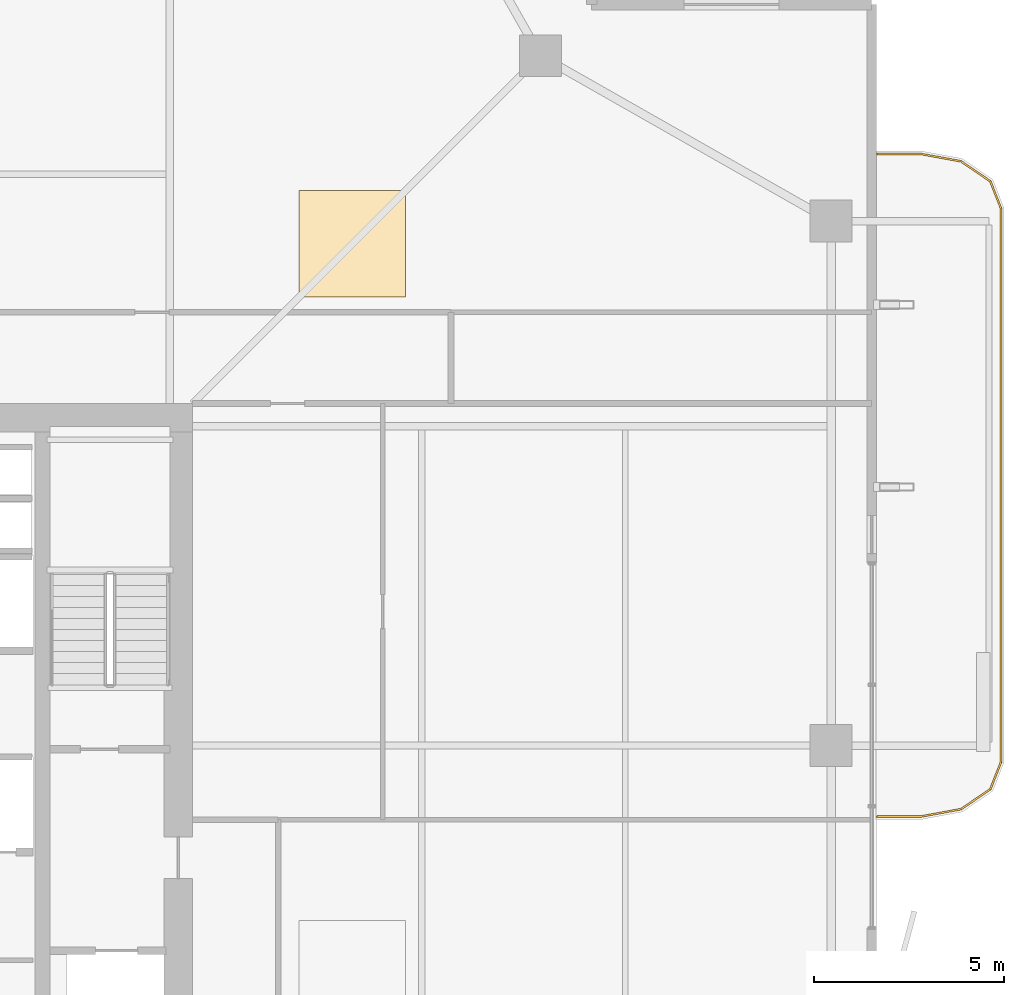
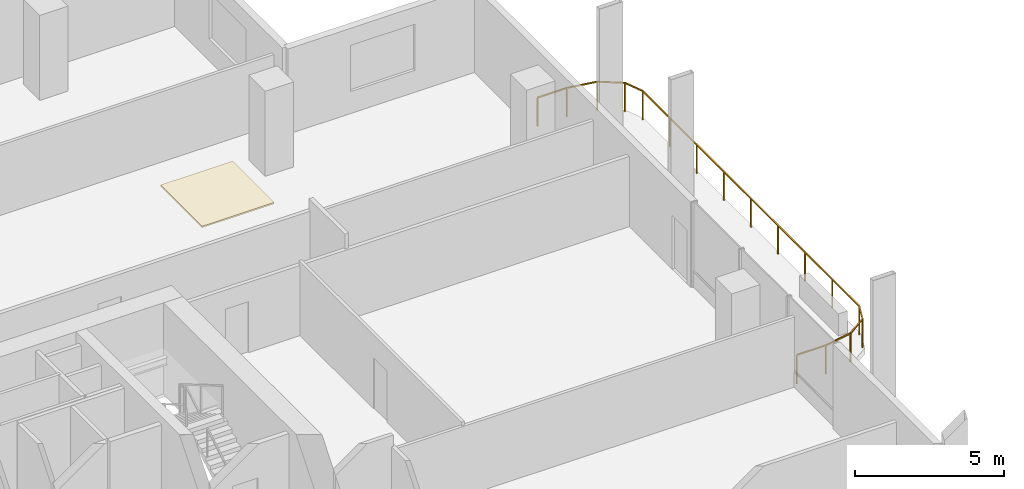
# One storey, part 24 of 24: 1 covering, 1 railing.
"""IFC4 building model written with IfcOpenShell, lengths in metres."""

from ifc_helpers import new_model, si_unit, direction, frame, origin, origin_2d, place, context, subcontext, project, spatial, polyline, rectangle, outline, extrude, material, layer, layer_set, type_object, element, save


model = new_model("IFC4")

# Units and contexts
model_context = context("Model", 3, precision=1e-05, world=origin(), true_north=direction((0.0, 1.0)))
body_context = subcontext(model_context, "Body", "Model", "MODEL_VIEW")
ifc_project = project(units=[si_unit("LENGTHUNIT", "METRE"), si_unit("AREAUNIT", "SQUARE_METRE"), si_unit("VOLUMEUNIT", "CUBIC_METRE"), si_unit("PLANEANGLEUNIT", "RADIAN"), si_unit("MASSUNIT", "GRAM", prefix="KILO")], contexts=[model_context])

# Site, building, storey
site_placement = place(None, origin())
site = spatial("IfcSite", under=ifc_project, at=site_placement, CompositionType="ELEMENT")
building_placement = place(site_placement, origin())
building = spatial("IfcBuilding", under=site, at=building_placement, Name="Belovzor Exchange Tower", CompositionType="ELEMENT")
storey_placement = place(building_placement, frame((0.0, 0.0, 211.199951171875)))
storey = spatial("IfcBuildingStorey", under=building, at=storey_placement, Name="L52", CompositionType="ELEMENT", Elevation=211.199951171875)

# Railing
ifc_material_1 = material(Name="Stainless Steel and Laminated Safety Glass", Category="steel")
railing_type = type_object("IfcRailingType", Name="Laminated Glass & Stainless Steel Balcony Balustrade 1200", PredefinedType="BALUSTRADE", material=ifc_material_1)
railing_placement = place(storey_placement, frame((55.81005859375, 26.929931640625, 0.0)))
element("IfcRailing", 1, at=railing_placement, inside=storey, type_object=railing_type, Name="GR-1 Balcony Balustrade L52 East", PredefinedType="BALUSTRADE", context=body_context, shape_type="SweptSolid", body=[
    extrude(rectangle(XDim=0.048095703125, YDim=0.048095703125, at=origin_2d()), frame((0.0, 0.0, 1.17578125), z_axis=(1.0, 0.0, 0.0), x_axis=(0.0, 1.0, 0.0)), (0.0, 0.0, 1.0), 1.133056640625),
    extrude(rectangle(XDim=0.048095703125, YDim=0.048095703125, at=origin_2d()), frame((1.133056640625, 0.0, 1.17578125), z_axis=(0.983644145941, 0.180122719713, 0.0), x_axis=(-0.180122719713, 0.983644145941, 0.0)), (0.0, 0.0, 1.0), 1.09375),
    extrude(rectangle(XDim=0.048095703125, YDim=0.048095703125, at=origin_2d()), frame((2.208984375, 0.197021484375, 1.17578125), z_axis=(0.826493025367, 0.56294695933, 0.0), x_axis=(-0.56294695933, 0.826493025367, 0.0)), (0.0, 0.0, 1.0), 0.932861328125),
    extrude(rectangle(XDim=0.048095703125, YDim=0.048095703125, at=origin_2d()), frame((2.97998046875, 0.72216796875, 1.17578125), z_axis=(0.365612923861, 0.930766990125, 0.0), x_axis=(-0.930766990125, 0.365612923861, 0.0)), (0.0, 0.0, 1.0), 0.765869140625),
    extrude(rectangle(XDim=0.048095703125, YDim=0.048095703125, at=origin_2d()), frame((3.260009765625, 1.43505859375, 1.17578125), z_axis=(0.0, 1.0, 0.0), x_axis=(-1.0, 0.0, 0.0)), (0.0, 0.0, 1.0), 14.570068359375),
    extrude(rectangle(XDim=0.048095703125, YDim=0.048095703125, at=origin_2d()), frame((3.260009765625, 16.005126953125, 1.17578125), z_axis=(-0.365612923861, 0.930766990125, 0.0), x_axis=(-0.930766990125, -0.365612923861, 0.0)), (0.0, 0.0, 1.0), 0.765869140625),
    extrude(rectangle(XDim=0.048095703125, YDim=0.048095703125, at=origin_2d()), frame((2.97998046875, 16.718017578125, 1.17578125), z_axis=(-0.826493025367, 0.56294695933, 0.0), x_axis=(-0.56294695933, -0.826493025367, 0.0)), (0.0, 0.0, 1.0), 0.932861328125),
    extrude(rectangle(XDim=0.048095703125, YDim=0.048095703125, at=origin_2d()), frame((2.208984375, 17.2431640625, 1.17578125), z_axis=(-0.983644145941, 0.180122719713, 0.0), x_axis=(-0.180122719713, -0.983644145941, 0.0)), (0.0, 0.0, 1.0), 1.09375),
    extrude(rectangle(XDim=0.048095703125, YDim=0.048095703125, at=origin_2d()), frame((1.133056640625, 17.440185546875, 1.17578125), z_axis=(-1.0, 0.0, 0.0), x_axis=(0.0, -1.0, 0.0)), (0.0, 0.0, 1.0), 1.133056640625),
    extrude(rectangle(XDim=0.0419921875, YDim=0.0419921875, at=origin_2d()), origin(), (0.0, 0.0, 1.0), 1.15185546875),
    extrude(rectangle(XDim=0.0419921875, YDim=0.0419921875, at=origin_2d()), frame((1.133056640625, 0.0, 0.0)), (0.0, 0.0, 1.0), 1.15185546875),
    extrude(rectangle(XDim=0.0419921875, YDim=0.0419921875, at=origin_2d()), frame((2.208984375, 0.197021484375, 0.0)), (0.0, 0.0, 1.0), 1.15185546875),
    extrude(rectangle(XDim=0.0419921875, YDim=0.0419921875, at=origin_2d()), frame((2.97998046875, 0.72216796875, 0.0)), (0.0, 0.0, 1.0), 1.15185546875),
    extrude(rectangle(XDim=0.0419921875, YDim=0.0419921875, at=origin_2d()), frame((3.260009765625, 1.43505859375, 0.0)), (0.0, 0.0, 1.0), 1.15185546875),
    extrude(rectangle(XDim=0.0419921875, YDim=0.0419921875, at=origin_2d()), frame((3.260009765625, 3.25634765625, 0.0)), (0.0, 0.0, 1.0), 1.15185546875),
    extrude(rectangle(XDim=0.0419921875, YDim=0.0419921875, at=origin_2d()), frame((3.260009765625, 5.07763671875, 0.0)), (0.0, 0.0, 1.0), 1.15185546875),
    extrude(rectangle(XDim=0.0419921875, YDim=0.0419921875, at=origin_2d()), frame((3.260009765625, 6.89892578125, 0.0)), (0.0, 0.0, 1.0), 1.15185546875),
    extrude(rectangle(XDim=0.0419921875, YDim=0.0419921875, at=origin_2d()), frame((3.260009765625, 8.72021484375, 0.0)), (0.0, 0.0, 1.0), 1.15185546875),
    extrude(rectangle(XDim=0.0419921875, YDim=0.0419921875, at=origin_2d()), frame((3.260009765625, 10.541259765625, 0.0)), (0.0, 0.0, 1.0), 1.15185546875),
    extrude(rectangle(XDim=0.0419921875, YDim=0.0419921875, at=origin_2d()), frame((3.260009765625, 12.362548828125, 0.0)), (0.0, 0.0, 1.0), 1.15185546875),
    extrude(rectangle(XDim=0.0419921875, YDim=0.0419921875, at=origin_2d()), frame((3.260009765625, 14.183837890625, 0.0)), (0.0, 0.0, 1.0), 1.15185546875),
    extrude(rectangle(XDim=0.0419921875, YDim=0.0419921875, at=origin_2d()), frame((3.260009765625, 16.005126953125, 0.0)), (0.0, 0.0, 1.0), 1.15185546875),
    extrude(rectangle(XDim=0.0419921875, YDim=0.0419921875, at=origin_2d()), frame((2.97998046875, 16.718017578125, 0.0)), (0.0, 0.0, 1.0), 1.15185546875),
    extrude(rectangle(XDim=0.0419921875, YDim=0.0419921875, at=origin_2d()), frame((2.208984375, 17.2431640625, 0.0)), (0.0, 0.0, 1.0), 1.15185546875),
    extrude(rectangle(XDim=0.0419921875, YDim=0.0419921875, at=origin_2d()), frame((1.133056640625, 17.440185546875, 0.0)), (0.0, 0.0, 1.0), 1.15185546875),
    extrude(rectangle(XDim=0.0419921875, YDim=0.0419921875, at=origin_2d()), frame((0.0, 17.440185546875, 0.0)), (0.0, 0.0, 1.0), 1.15185546875),
])

# Covering
ifc_material_2 = material(Name="Perforated Powder-Coated Aluminium", Category="aluminium")
ifc_layer = layer(ifc_material_2, 0.06005859375)
ifc_layer_set = layer_set([ifc_layer], Name="Perforated Powder-Coated Aluminium")
covering_type = type_object("IfcCoveringType", Name="Perforated Acoustic Metal Tile Suspended Ceiling 60", PredefinedType="CEILING", material=ifc_layer_set)
covering_placement = place(storey_placement, frame((0.0, 0.0, 3.43994140625)))
element("IfcCovering", 2, at=covering_placement, inside=storey, type_object=covering_type, Name="CLG-AC60 Suspended Ceiling CLG-L52-Z1", PredefinedType="CEILING", context=body_context, shape_type="SweptSolid", body=[
    extrude(outline(polyline([(40.60009765625, 40.60009765625), (43.39990234375, 40.60009765625), (43.39990234375, 43.39990234375), (40.60009765625, 43.39990234375), (40.60009765625, 40.60009765625)])), origin(), (0.0, 0.0, 1.0), 0.06005859375),
])

save(model, "model.ifc")
